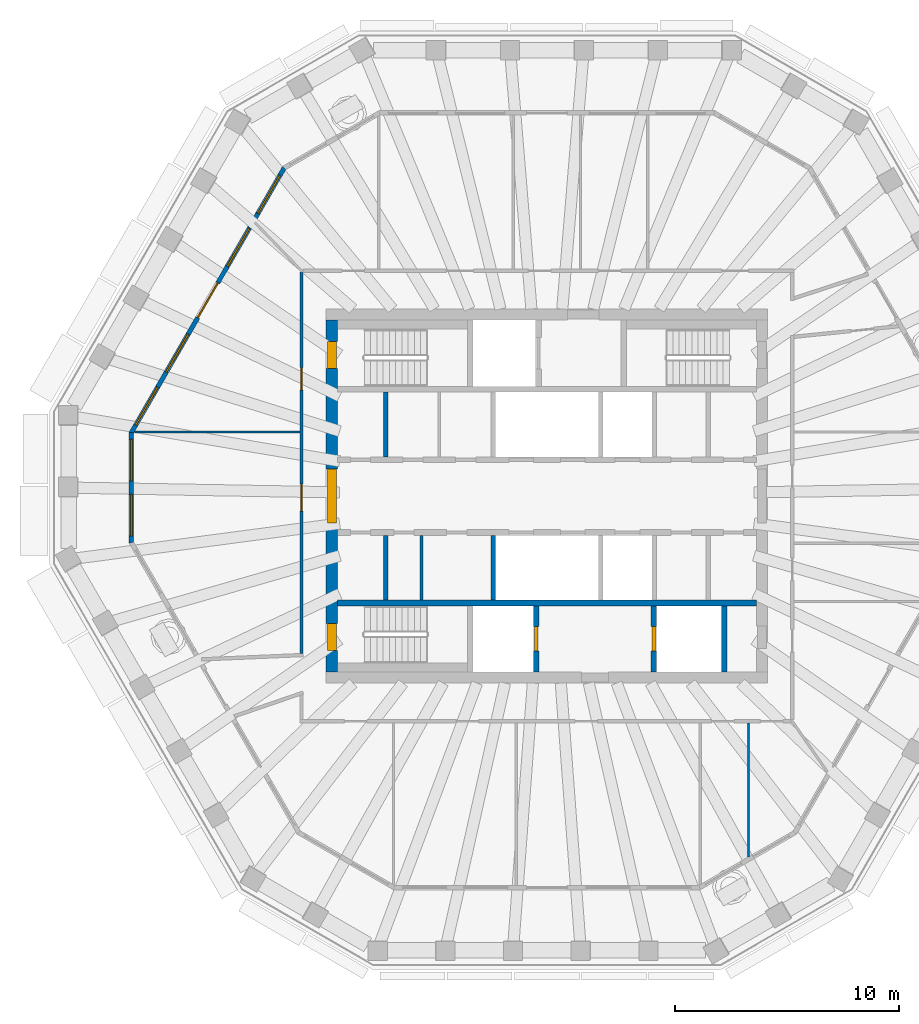
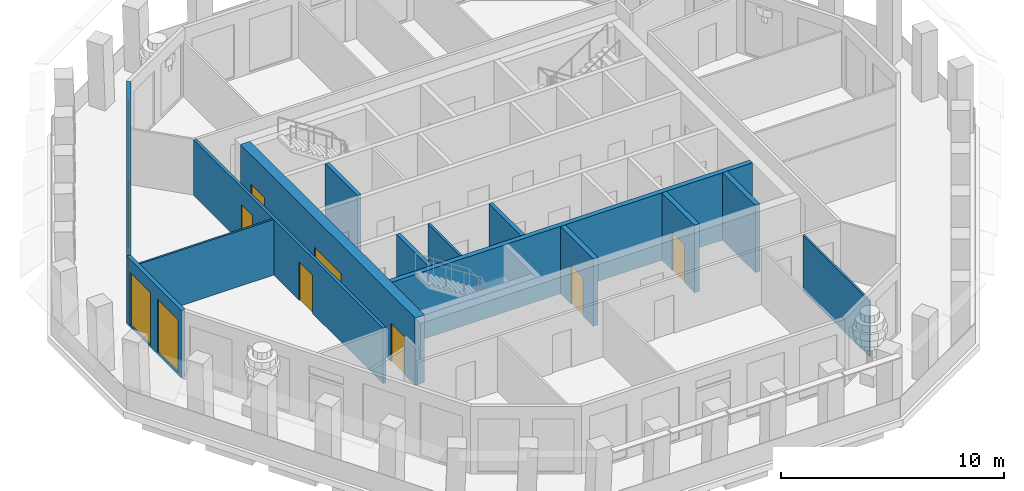
# One storey, part 4 of 11: 14 walls, 8 doors, 7 windows, 15 openings.
"""IFC4 building model written with IfcOpenShell, lengths in metres."""

import ifcopenshell
import ifcopenshell.guid

model = None  # the IFC model being written
_history = None  # IfcOwnerHistory: only IFC2X3 demands one
_inside = {}  # id of a spatial element -> (the spatial element, [elements in it])
_under = {}  # id of a project, library or spatial element -> (it, [spatial elements below it])
_declared = {}  # id of a project -> (the project, [libraries it declares])
_typed = {}  # id of a type object -> (the type object, [elements of that type])
_made_of = {}  # id of a material, layer set ... -> (it, [elements and type objects made of it])


def new_model(schema):
    """Start an empty IFC model of exactly this schema.

    Asked for "IFC4X3", IfcOpenShell would pick the latest addendum, in which some entities
    have other attributes; the version numbers below select the first issue.
    IFC2X3 requires an IfcOwnerHistory on every rooted entity: one is made here for all.
    """
    global model, _history
    if schema == "IFC4X3":
        model = ifcopenshell.file(schema_version=(4, 3, 0, 0))
    else:
        model = ifcopenshell.file(schema=schema)
    _inside.clear()
    _under.clear()
    _declared.clear()
    _typed.clear()
    _made_of.clear()
    _history = None
    if model.schema == "IFC2X3":
        org = make("IfcOrganization", Name="unknown")
        user = make(
            "IfcPersonAndOrganization",
            ThePerson=make("IfcPerson", FamilyName="unknown"),
            TheOrganization=org,
        )
        app = make(
            "IfcApplication",
            ApplicationDeveloper=org,
            Version="unknown",
            ApplicationFullName="unknown",
            ApplicationIdentifier="unknown",
        )
        _history = make(
            "IfcOwnerHistory",
            OwningUser=user,
            OwningApplication=app,
            ChangeAction="ADDED",
            CreationDate=0,
        )
    return model


def make(cls, **values):
    """One entity of the class cls with the attributes given. An attribute that is None is left unset."""
    return model.create_entity(
        cls, **{name: value for name, value in values.items() if value is not None}
    )


def rooted(cls, **values):
    """An entity with a GlobalId (a new one), such as an element, a storey or a relation."""
    return make(cls, GlobalId=ifcopenshell.guid.new(), OwnerHistory=_history, **values)


def si_unit(unit_type, name, prefix=None):
    """IfcSIUnit, for example si_unit("LENGTHUNIT", "METRE", prefix="MILLI")."""
    return make("IfcSIUnit", UnitType=unit_type, Prefix=prefix, Name=name)


def assignment(units):
    """IfcUnitAssignment: the units of a project."""
    return None if units is None else make("IfcUnitAssignment", Units=units)


def point(xyz):
    """IfcCartesianPoint."""
    return None if xyz is None else make("IfcCartesianPoint", Coordinates=xyz)


def direction(xyz):
    """IfcDirection."""
    return None if xyz is None else make("IfcDirection", DirectionRatios=xyz)


def frame(location, z_axis=None, x_axis=None):
    """IfcAxis2Placement3D, a coordinate frame: its origin and axes. An axis left out is left unset."""
    return make(
        "IfcAxis2Placement3D",
        Location=point(location),
        Axis=direction(z_axis),
        RefDirection=direction(x_axis),
    )


def frame_2d(location, x_axis=None):
    """IfcAxis2Placement2D, a coordinate frame in the plane: its origin and x axis."""
    return make(
        "IfcAxis2Placement2D", Location=point(location), RefDirection=direction(x_axis)
    )


def origin():
    """The frame at (0, 0, 0) with its axes left unset."""
    return frame((0.0, 0.0, 0.0))


def place(relative_to, where):
    """IfcLocalPlacement: puts the frame where relative to a parent placement (None: the world)."""
    return make(
        "IfcLocalPlacement", PlacementRelTo=relative_to, RelativePlacement=where
    )


def context(
    kind, dimensions, precision=None, world=None, true_north=None, identifier=None
):
    """IfcGeometricRepresentationContext, for example the 3D "Model" context."""
    return make(
        "IfcGeometricRepresentationContext",
        ContextIdentifier=identifier,
        ContextType=kind,
        CoordinateSpaceDimension=dimensions,
        Precision=precision,
        WorldCoordinateSystem=world,
        TrueNorth=true_north,
    )


def subcontext(parent, identifier, kind, view, scale=None):
    """IfcGeometricRepresentationSubContext, for example "Body" below "Model"."""
    return make(
        "IfcGeometricRepresentationSubContext",
        ContextIdentifier=identifier,
        ContextType=kind,
        ParentContext=parent,
        TargetScale=scale,
        TargetView=view,
    )


def project(units=None, contexts=None):
    """IfcProject with its units and contexts."""
    return rooted(
        "IfcProject",
        Name="project",
        RepresentationContexts=contexts,
        UnitsInContext=assignment(units),
    )


def spatial(cls, under=None, at=None, **own):
    """A site, building, storey or space (cls), placed at a placement, below another one or the project."""
    s = rooted(cls, ObjectPlacement=at, **own)
    if under is not None:
        _under.setdefault(under.id(), (under, []))[1].append(s)
    return s


def polyline(points):
    """IfcPolyline through the points."""
    return make("IfcPolyline", Points=[point(p) for p in points])


def profile(cls, at=None, kind="AREA", **sizes):
    """A parametric profile (cls). Its sizes go by their IFC names, for example OverallWidth=200.0."""
    return make(cls, ProfileType=kind, Position=at, **sizes)


def rectangle(**sizes):
    """IfcRectangleProfileDef."""
    return profile("IfcRectangleProfileDef", **sizes)


def outline(outer, holes=None, kind="AREA"):
    """IfcArbitraryClosedProfileDef: a profile drawn as a closed curve; with holes, ...WithVoids."""
    if holes is None:
        return make("IfcArbitraryClosedProfileDef", ProfileType=kind, OuterCurve=outer)
    return make(
        "IfcArbitraryProfileDefWithVoids",
        ProfileType=kind,
        OuterCurve=outer,
        InnerCurves=holes,
    )


def extrude(swept, where, along, depth):
    """IfcExtrudedAreaSolid: the profile swept, set in the frame where, extruded along a direction by depth."""
    return make(
        "IfcExtrudedAreaSolid",
        SweptArea=swept,
        Position=where,
        ExtrudedDirection=direction(along),
        Depth=depth,
    )


def shape(context_of_items, identifier, shape_type, items):
    """IfcShapeRepresentation: the items that make up one representation, for example the "Body"."""
    return make(
        "IfcShapeRepresentation",
        ContextOfItems=context_of_items,
        RepresentationIdentifier=identifier,
        RepresentationType=shape_type,
        Items=items,
    )


def material(Name=None, Category=None):
    """IfcMaterial."""
    return make("IfcMaterial", Name=Name, Category=Category)


def layer(
    of_material, thickness, ventilated=None, Name=None, Category=None, Priority=None
):
    """IfcMaterialLayer: one layer of a wall or slab, of a material (None: an air gap)."""
    return make(
        "IfcMaterialLayer",
        Material=of_material,
        LayerThickness=thickness,
        IsVentilated=ventilated,
        Name=Name,
        Category=Category,
        Priority=Priority,
    )


def layer_set(layers, Name=None):
    """IfcMaterialLayerSet."""
    return make("IfcMaterialLayerSet", MaterialLayers=layers, LayerSetName=Name)


def made_of(thing, what):
    """Note that an element or type object is made of a material, layer set ...; save() writes the relation."""
    if what is not None:
        _made_of.setdefault(what.id(), (what, []))[1].append(thing)
    return thing


def type_object(cls, material=None, **own):
    """A type object (cls), such as IfcWallType, which elements share."""
    return made_of(rooted(cls, **own), material)


def element(
    cls,
    number,
    at=None,
    inside=None,
    cuts=None,
    type_object=None,
    material=None,
    context=None,
    identifier="Body",
    shape_type=None,
    held_by="IfcProductDefinitionShape",
    body=None,
    shapes=None,
    **own,
):
    """One element of the class cls, such as IfcWall. Its Tag is "e" and its number.

    at: its placement. inside: the storey or other place that contains it. cuts: it is an
    opening in that element (IfcRelVoidsElement). A single representation is given by context,
    identifier, shape_type and body (its items); several are given by shapes. held_by: the class
    of the entity that holds the representations. save() writes the other relations.
    """
    e = rooted(cls, Tag="e%d" % number, ObjectPlacement=at, **own)
    if body is not None:
        shapes = [shape(context, identifier, shape_type, body)]
    if shapes is not None:
        e.Representation = make(held_by, Representations=shapes)
    if inside is not None:
        _inside.setdefault(inside.id(), (inside, []))[1].append(e)
    if cuts is not None:
        rooted(
            "IfcRelVoidsElement", RelatingBuildingElement=cuts, RelatedOpeningElement=e
        )
    if type_object is not None:
        _typed.setdefault(type_object.id(), (type_object, []))[1].append(e)
    return made_of(e, material)


def fill(opening, filler):
    """IfcRelFillsElement: the door or window that sits in an opening."""
    return rooted(
        "IfcRelFillsElement",
        RelatingOpeningElement=opening,
        RelatedBuildingElement=filler,
    )


def aggregate(whole, parts):
    """IfcRelAggregates: a whole, such as a stair, and the parts it consists of."""
    return rooted("IfcRelAggregates", RelatingObject=whole, RelatedObjects=parts)


def save(model, path):
    """Write the relations noted so far, then the file.

    IfcRelAggregates (storeys below a building ...), IfcRelContainedInSpatialStructure (elements
    in a storey), IfcRelDefinesByType, IfcRelAssociatesMaterial and IfcRelDeclares: one each for
    every whole, place, type object, material and project.
    """
    for whole, parts in _under.values():
        aggregate(whole, parts)
    for where, things in _inside.values():
        rooted(
            "IfcRelContainedInSpatialStructure",
            RelatedElements=things,
            RelatingStructure=where,
        )
    for kind, things in _typed.values():
        rooted("IfcRelDefinesByType", RelatedObjects=things, RelatingType=kind)
    for what, things in _made_of.values():
        rooted("IfcRelAssociatesMaterial", RelatedObjects=things, RelatingMaterial=what)
    for by, libraries in _declared.values():
        rooted("IfcRelDeclares", RelatingContext=by, RelatedDefinitions=libraries)
    model.write(path)


model = new_model("IFC4")

# Units and contexts
model_context = context("Model", 3, precision=1e-05, world=origin(), true_north=direction((0.0, 1.0)))
body_context = subcontext(model_context, "Body", "Model", "MODEL_VIEW")
ifc_project = project(units=[si_unit("LENGTHUNIT", "METRE"), si_unit("AREAUNIT", "SQUARE_METRE"), si_unit("VOLUMEUNIT", "CUBIC_METRE"), si_unit("PLANEANGLEUNIT", "RADIAN"), si_unit("MASSUNIT", "GRAM", prefix="KILO")], contexts=[model_context])

# Site, building, storey
site_placement = place(None, origin())
site = spatial("IfcSite", under=ifc_project, at=site_placement, CompositionType="ELEMENT")
building_placement = place(site_placement, origin())
building = spatial("IfcBuilding", under=site, at=building_placement, Name="Frailejon Research Tower", CompositionType="ELEMENT")
storey_placement = place(building_placement, frame((0.0, 0.0, 320.60009765625)))
storey = spatial("IfcBuildingStorey", under=building, at=storey_placement, Name="L71", CompositionType="ELEMENT", Elevation=320.60009765625)

# Wall
ifc_material_1 = material(Name="Plasterboard on steel studs", Category="steel")
ifc_layer_1 = layer(ifc_material_1, 0.125)
ifc_layer_set_1 = layer_set([ifc_layer_1], Name="Core partition 125")
wall_type_1 = type_object("IfcWallType", Name="Core partition 125", PredefinedType="PARTITIONING", material=ifc_layer_set_1)
wall_1_placement = place(storey_placement, frame((-5.60009765625, -4.64990234375, 0.0), z_axis=(0.0, 0.0, 1.0), x_axis=(0.0, 1.0, 0.0)))
element("IfcWall", 1, at=wall_1_placement, inside=storey, type_object=wall_type_1, Name="Core partition", PredefinedType="PARTITIONING", context=body_context, shape_type="SweptSolid", body=[
    extrude(rectangle(XDim=2.89990234375, YDim=0.125, at=frame_2d((1.449951171875, 0.0))), origin(), (0.0, 0.0, 1.0), 3.699951171875),
])

# Wall, openings, doors
ifc_material_2 = material(Name="Concrete C50/60", Category="concrete")
ifc_layer_2 = layer(ifc_material_2, 0.5)
ifc_layer_set_2 = layer_set([ifc_layer_2], Name="Core shear wall 500 C50/60")
wall_type_2 = type_object("IfcWallType", Name="Core shear wall 500 C50/60", PredefinedType="SHEAR", material=ifc_layer_set_2)
wall_2_placement = place(storey_placement, frame((-9.60009765625, -7.85009765625, 0.0), z_axis=(0.0, 0.0, 1.0), x_axis=(0.0, 1.0, 0.0)))
wall_2 = element("IfcWall", 2, at=wall_2_placement, inside=storey, type_object=wall_type_2, Name="Core shear wall", PredefinedType="SHEAR", context=body_context, shape_type="SweptSolid", body=[
    extrude(rectangle(XDim=15.7001953125, YDim=0.5, at=frame_2d((7.85009765625, 0.0))), origin(), (0.0, 0.0, 1.0), 3.699951171875),
])
opening_1_placement = place(wall_2_placement, frame((6.64990234375, 0.0, 0.0)))
opening_1 = element("IfcOpeningElement", 3, at=opening_1_placement, cuts=wall_2, Name="Opening D2", PredefinedType="OPENING", context=body_context, shape_type="SweptSolid", body=[
    extrude(rectangle(XDim=2.39990234375, YDim=2.10009765625, at=frame_2d((1.199951171875, 1.050048828125))), frame((0.0, 0.260009765625, 0.0), z_axis=(0.0, -1.0, 0.0), x_axis=(1.0, 0.0, 0.0)), (0.0, 0.0, 1.0), 0.52001953125),
])
opening_2_placement = place(wall_2_placement, frame((13.550048828125, 0.0, 0.0)))
opening_2 = element("IfcOpeningElement", 4, at=opening_2_placement, cuts=wall_2, Name="Opening D1", PredefinedType="OPENING", context=body_context, shape_type="SweptSolid", body=[
    extrude(rectangle(XDim=1.199951171875, YDim=2.10009765625, at=frame_2d((0.60009765625, 1.050048828125))), frame((0.0, 0.260009765625, 0.0), z_axis=(0.0, -1.0, 0.0), x_axis=(1.0, 0.0, 0.0)), (0.0, 0.0, 1.0), 0.52001953125),
])
opening_3_placement = place(wall_2_placement, frame((0.949951171875, 0.0, 0.0)))
opening_3 = element("IfcOpeningElement", 5, at=opening_3_placement, cuts=wall_2, Name="Opening D1", PredefinedType="OPENING", context=body_context, shape_type="SweptSolid", body=[
    extrude(rectangle(XDim=1.199951171875, YDim=2.10009765625, at=frame_2d((0.60009765625, 1.050048828125))), frame((0.0, 0.260009765625, 0.0), z_axis=(0.0, -1.0, 0.0), x_axis=(1.0, 0.0, 0.0)), (0.0, 0.0, 1.0), 0.52001953125),
])
ifc_material_3 = material(Name="Steel", Category="steel")
door_type_1 = type_object("IfcDoorType", Name="Lobby double door", OperationType="DOUBLE_DOOR_SINGLE_SWING", PredefinedType="DOOR", material=ifc_material_3)
door_1_placement = place(opening_1_placement, origin())
door_1 = element("IfcDoor", 6, at=door_1_placement, inside=storey, type_object=door_type_1, Name="Lobby door", OperationType="DOUBLE_DOOR_SINGLE_SWING", OverallHeight=2.10009765625, OverallWidth=2.39990234375, PredefinedType="DOOR", context=body_context, shape_type="SweptSolid", body=[
    extrude(rectangle(XDim=2.39990234375, YDim=2.10009765625, at=frame_2d((1.199951171875, 1.050048828125))), frame((0.0, 0.199951171875, 0.0), z_axis=(0.0, -1.0, 0.0), x_axis=(1.0, 0.0, 0.0)), (0.0, 0.0, 1.0), 0.39990234375),
])
fill(opening_1, door_1)
ifc_material_4 = material(Name="Steel", Category="steel")
door_type_2 = type_object("IfcDoorType", Name="Stair door", OperationType="SINGLE_SWING_LEFT", PredefinedType="DOOR", material=ifc_material_4)
door_2_placement = place(opening_2_placement, origin())
door_2 = element("IfcDoor", 7, at=door_2_placement, inside=storey, type_object=door_type_2, Name="Stair door ST1", OperationType="SINGLE_SWING_RIGHT", OverallHeight=2.10009765625, OverallWidth=1.199951171875, PredefinedType="DOOR", context=body_context, shape_type="SweptSolid", body=[
    extrude(rectangle(XDim=1.199951171875, YDim=2.10009765625, at=frame_2d((0.60009765625, 1.050048828125))), frame((0.0, 0.199951171875, 0.0), z_axis=(0.0, -1.0, 0.0), x_axis=(1.0, 0.0, 0.0)), (0.0, 0.0, 1.0), 0.39990234375),
])
fill(opening_2, door_2)
door_3_placement = place(opening_3_placement, origin())
door_3 = element("IfcDoor", 8, at=door_3_placement, inside=storey, type_object=door_type_2, Name="Stair door ST2", OperationType="SINGLE_SWING_LEFT", OverallHeight=2.10009765625, OverallWidth=1.199951171875, PredefinedType="DOOR", context=body_context, shape_type="SweptSolid", body=[
    extrude(rectangle(XDim=1.199951171875, YDim=2.10009765625, at=frame_2d((0.60009765625, 1.050048828125))), frame((0.0, 0.199951171875, 0.0), z_axis=(0.0, -1.0, 0.0), x_axis=(1.0, 0.0, 0.0)), (0.0, 0.0, 1.0), 0.39990234375),
])
fill(opening_3, door_3)

ifc_material_5 = material(Name="Gypsum board and masonry partition", Category="masonry")
ifc_layer_3 = layer(ifc_material_5, 0.14990234375)
ifc_layer_set_3 = layer_set([ifc_layer_3], Name="Corridor wall EI 60, gypsum on steel studs 150")
wall_type_3 = type_object("IfcWallType", Name="Corridor wall EI 60, gypsum on steel studs 150", PredefinedType="PARTITIONING", material=ifc_layer_set_3)
wall_3_placement = place(storey_placement, frame((-10.949951171875, -7.02490234375, 0.0), z_axis=(0.0, 0.0, 1.0), x_axis=(0.0, 1.0, 0.0)))
wall_3 = element("IfcWall", 9, at=wall_3_placement, inside=storey, type_object=wall_type_3, Name="T:IW:L71:007", PredefinedType="PARTITIONING", context=body_context, shape_type="SweptSolid", body=[
    extrude(rectangle(XDim=17.02490234375, YDim=0.14990234375, at=frame_2d((8.512451171875, 0.0))), origin(), (0.0, 0.0, 1.0), 3.0498046875),
])
opening_4_placement = place(wall_3_placement, frame((11.75634765625, 0.0, 0.0)))
opening_4 = element("IfcOpeningElement", 10, at=opening_4_placement, cuts=wall_3, Name="Opening D2339", PredefinedType="OPENING", context=body_context, shape_type="SweptSolid", body=[
    extrude(rectangle(XDim=1.0, YDim=2.10009765625, at=frame_2d((0.5, 1.050048828125))), frame((0.0, 0.0849609375, 0.0), z_axis=(0.0, -1.0, 0.0), x_axis=(1.0, 0.0, 0.0)), (0.0, 0.0, 1.0), 0.169921875),
])
opening_5_placement = place(wall_3_placement, frame((6.352783203125, 0.0, 0.0)))
opening_5 = element("IfcOpeningElement", 11, at=opening_5_placement, cuts=wall_3, Name="Opening D2340", PredefinedType="OPENING", context=body_context, shape_type="SweptSolid", body=[
    extrude(rectangle(XDim=1.199951171875, YDim=2.10009765625, at=frame_2d((0.60009765625, 1.050048828125))), frame((0.0, 0.0849609375, 0.0), z_axis=(0.0, -1.0, 0.0), x_axis=(1.0, 0.0, 0.0)), (0.0, 0.0, 1.0), 0.169921875),
])
ifc_material_6 = material(Name="Timber door leaf", Category="wood")
door_type_3 = type_object("IfcDoorType", Name="Door single leaf, timber, steel frame 1000", OperationType="NOTDEFINED", PredefinedType="DOOR", material=ifc_material_6)
door_4_placement = place(opening_4_placement, origin())
door_4 = element("IfcDoor", 12, at=door_4_placement, inside=storey, type_object=door_type_3, Name="D2339", OperationType="SINGLE_SWING_LEFT", OverallHeight=2.10009765625, OverallWidth=1.0, PredefinedType="DOOR", context=body_context, shape_type="SweptSolid", body=[
    extrude(rectangle(XDim=1.0, YDim=2.10009765625, at=frame_2d((0.5, 1.050048828125))), frame((0.0, 0.02490234375, 0.0), z_axis=(0.0, -1.0, 0.0), x_axis=(1.0, 0.0, 0.0)), (0.0, 0.0, 1.0), 0.050048828125),
])
fill(opening_4, door_4)
ifc_material_7 = material(Name="Timber door leaf", Category="wood")
door_type_4 = type_object("IfcDoorType", Name="Door single leaf, timber, steel frame 1200", OperationType="NOTDEFINED", PredefinedType="DOOR", material=ifc_material_7)
door_5_placement = place(opening_5_placement, origin())
door_5 = element("IfcDoor", 13, at=door_5_placement, inside=storey, type_object=door_type_4, Name="D2340", OperationType="DOUBLE_DOOR_SINGLE_SWING", OverallHeight=2.10009765625, OverallWidth=1.199951171875, PredefinedType="DOOR", context=body_context, shape_type="SweptSolid", body=[
    extrude(rectangle(XDim=1.199951171875, YDim=2.10009765625, at=frame_2d((0.60009765625, 1.050048828125))), frame((0.0, 0.02490234375, 0.0), z_axis=(0.0, -1.0, 0.0), x_axis=(1.0, 0.0, 0.0)), (0.0, 0.0, 1.0), 0.050048828125),
])
fill(opening_5, door_5)

# Walls
ifc_material_8 = material(Name="Gypsum board and masonry partition", Category="masonry")
ifc_layer_4 = layer(ifc_material_8, 0.10009765625)
ifc_layer_set_4 = layer_set([ifc_layer_4], Name="Partition, gypsum on steel studs 100")
wall_type_4 = type_object("IfcWallType", Name="Partition, gypsum on steel studs 100", PredefinedType="PARTITIONING", material=ifc_layer_set_4)
wall_4_placement = place(storey_placement, frame((-18.414306640625, 2.859619140625, 0.0), z_axis=(0.0, 0.0, 1.0), x_axis=(1.0, 0.0, 0.0)))
element("IfcWall", 14, at=wall_4_placement, inside=storey, type_object=wall_type_4, Name="T:IW:L71:011", PredefinedType="PARTITIONING", context=body_context, shape_type="SweptSolid", body=[
    extrude(rectangle(XDim=7.389404296875, YDim=0.10009765625, at=frame_2d((3.69482421875, 0.0))), origin(), (0.0, 0.0, 1.0), 3.0498046875),
])
wall_5_placement = place(storey_placement, frame((8.99609375, -16.10498046875, 0.0), z_axis=(0.0, 0.0, 1.0), x_axis=(0.0, 1.0, 0.0)))
element("IfcWall", 15, at=wall_5_placement, inside=storey, type_object=wall_type_4, Name="T:IW:L71:022", PredefinedType="PARTITIONING", context=body_context, shape_type="SweptSolid", body=[
    extrude(rectangle(XDim=5.97998046875, YDim=0.10009765625, at=frame_2d((2.989990234375, 0.0))), origin(), (0.0, 0.0, 1.0), 3.0498046875),
])
ifc_material_9 = material(Name="Concrete C50/60", Category="concrete")
ifc_layer_5 = layer(ifc_material_9, 0.199951171875)
ifc_layer_set_5 = layer_set([ifc_layer_5], Name="Shaft wall 200 C50/60")
wall_type_5 = type_object("IfcWallType", Name="Shaft wall 200 C50/60", PredefinedType="SOLIDWALL", material=ifc_layer_set_5)
for number, where, z_axis, x_axis, name in (
    (16, (-7.199951171875, 1.75, 0.0), (0.0, 0.0, 1.0), (0.0, 1.0, 0.0), "Shaft wall"),
    (17, (-7.199951171875, -4.64990234375, 0.0), (0.0, 0.0, 1.0), (0.0, 1.0, 0.0), "Shaft wall"),
    (18, (-2.39990234375, -4.64990234375, 0.0), (0.0, 0.0, 1.0), (0.0, 1.0, 0.0), "Shaft wall"),
):
    element("IfcWall", number, at=place(storey_placement, frame(where, z_axis=z_axis, x_axis=x_axis)), inside=storey, type_object=wall_type_5, Name=name, PredefinedType="SOLIDWALL", context=body_context, shape_type="SweptSolid", body=[
        extrude(rectangle(XDim=2.89990234375, YDim=0.199951171875, at=frame_2d((1.449951171875, 0.0))), origin(), (0.0, 0.0, 1.0), 3.699951171875),
    ])
ifc_material_10 = material(Name="Concrete C50/60", Category="concrete")
ifc_layer_6 = layer(ifc_material_10, 0.25)
ifc_layer_set_6 = layer_set([ifc_layer_6], Name="Shaft wall 250 C50/60")
wall_type_6 = type_object("IfcWallType", Name="Shaft wall 250 C50/60", PredefinedType="SOLIDWALL", material=ifc_layer_set_6)
wall_6_placement = place(storey_placement, frame((-9.35009765625, -4.77490234375, 0.0), z_axis=(0.0, 0.0, 1.0), x_axis=(1.0, 0.0, 0.0)))
element("IfcWall", 19, at=wall_6_placement, inside=storey, type_object=wall_type_6, Name="Shaft wall", PredefinedType="SOLIDWALL", context=body_context, shape_type="SweptSolid", body=[
    extrude(rectangle(XDim=18.7001953125, YDim=0.25, at=frame_2d((9.35009765625, 0.0))), origin(), (0.0, 0.0, 1.0), 3.699951171875),
])

# Wall, opening, door
wall_7_placement = place(storey_placement, frame((-0.47509765625, -7.85009765625, 0.0), z_axis=(0.0, 0.0, 1.0), x_axis=(0.0, 1.0, 0.0)))
wall_7 = element("IfcWall", 20, at=wall_7_placement, inside=storey, type_object=wall_type_6, Name="Shaft wall", PredefinedType="SOLIDWALL", context=body_context, shape_type="SweptSolid", body=[
    extrude(rectangle(XDim=2.9501953125, YDim=0.25, at=frame_2d((1.47509765625, 0.0))), origin(), (0.0, 0.0, 1.0), 3.699951171875),
])
opening_6_placement = place(wall_7_placement, frame((0.925048828125, 0.0, 0.0)))
opening_6 = element("IfcOpeningElement", 21, at=opening_6_placement, cuts=wall_7, Name="Opening LD", PredefinedType="OPENING", context=body_context, shape_type="SweptSolid", body=[
    extrude(rectangle(XDim=1.10009765625, YDim=2.10009765625, at=frame_2d((0.550048828125, 1.050048828125))), frame((0.0, 0.135009765625, 0.0), z_axis=(0.0, -1.0, 0.0), x_axis=(1.0, 0.0, 0.0)), (0.0, 0.0, 1.0), 0.27001953125),
])
ifc_material_11 = material(Name="Steel", Category="steel")
door_type_5 = type_object("IfcDoorType", Name="Lift landing door", OperationType="DOUBLE_DOOR_SLIDING", PredefinedType="DOOR", material=ifc_material_11)
door_6_placement = place(opening_6_placement, origin())
door_6 = element("IfcDoor", 22, at=door_6_placement, inside=storey, type_object=door_type_5, Name="Lift landing door", OperationType="DOUBLE_DOOR_SLIDING", OverallHeight=2.10009765625, OverallWidth=1.10009765625, PredefinedType="DOOR", context=body_context, shape_type="SweptSolid", body=[
    extrude(rectangle(XDim=1.10009765625, YDim=2.10009765625, at=frame_2d((0.550048828125, 1.050048828125))), frame((0.0, 0.074951171875, 0.0), z_axis=(0.0, -1.0, 0.0), x_axis=(1.0, 0.0, 0.0)), (0.0, 0.0, 1.0), 0.14990234375),
])
fill(opening_6, door_6)

wall_8_placement = place(storey_placement, frame((4.77490234375, -7.85009765625, 0.0), z_axis=(0.0, 0.0, 1.0), x_axis=(0.0, 1.0, 0.0)))
wall_8 = element("IfcWall", 23, at=wall_8_placement, inside=storey, type_object=wall_type_6, Name="Shaft wall", PredefinedType="SOLIDWALL", context=body_context, shape_type="SweptSolid", body=[
    extrude(rectangle(XDim=2.9501953125, YDim=0.25, at=frame_2d((1.47509765625, 0.0))), origin(), (0.0, 0.0, 1.0), 3.699951171875),
])
opening_7_placement = place(wall_8_placement, frame((0.925048828125, 0.0, 0.0)))
opening_7 = element("IfcOpeningElement", 24, at=opening_7_placement, cuts=wall_8, Name="Opening LD", PredefinedType="OPENING", context=body_context, shape_type="SweptSolid", body=[
    extrude(rectangle(XDim=1.10009765625, YDim=2.10009765625, at=frame_2d((0.550048828125, 1.050048828125))), frame((0.0, 0.135009765625, 0.0), z_axis=(0.0, -1.0, 0.0), x_axis=(1.0, 0.0, 0.0)), (0.0, 0.0, 1.0), 0.27001953125),
])
door_7_placement = place(opening_7_placement, origin())
door_7 = element("IfcDoor", 25, at=door_7_placement, inside=storey, type_object=door_type_5, Name="Lift landing door", OperationType="DOUBLE_DOOR_SLIDING", OverallHeight=2.10009765625, OverallWidth=1.10009765625, PredefinedType="DOOR", context=body_context, shape_type="SweptSolid", body=[
    extrude(rectangle(XDim=1.10009765625, YDim=2.10009765625, at=frame_2d((0.550048828125, 1.050048828125))), frame((0.0, 0.074951171875, 0.0), z_axis=(0.0, -1.0, 0.0), x_axis=(1.0, 0.0, 0.0)), (0.0, 0.0, 1.0), 0.14990234375),
])
fill(opening_7, door_7)

# Wall
wall_9_placement = place(storey_placement, frame((7.925048828125, -7.85009765625, 0.0), z_axis=(0.0, 0.0, 1.0), x_axis=(0.0, 1.0, 0.0)))
element("IfcWall", 26, at=wall_9_placement, inside=storey, type_object=wall_type_6, Name="Shaft wall", PredefinedType="SOLIDWALL", context=body_context, shape_type="SweptSolid", body=[
    extrude(rectangle(XDim=2.9501953125, YDim=0.25, at=frame_2d((1.47509765625, 0.0))), origin(), (0.0, 0.0, 1.0), 3.699951171875),
])

# Wall, openings, door, windows
ifc_material_12 = material(Name="Concrete C40/50 precast window wall panel", Category="concrete")
ifc_layer_7 = layer(ifc_material_12, 0.199951171875)
ifc_layer_set_7 = layer_set([ifc_layer_7], Name="Window wall 200")
wall_type_7 = type_object("IfcWallType", Name="Window wall 200", PredefinedType="SOLIDWALL", material=ifc_layer_set_7)
wall_10_placement = place(storey_placement, frame((-11.72607421875, 14.644287109375, 0.0), z_axis=(0.0, 0.0, 1.0), x_axis=(-0.49999155959, -0.866030276803, 0.0)))
wall_10 = element("IfcWall", 27, at=wall_10_placement, inside=storey, type_object=wall_type_7, Name="Exterior wall L71", PredefinedType="SOLIDWALL", context=body_context, shape_type="SweptSolid", body=[
    extrude(outline(polyline([(-0.02685546875, -0.10009765625), (1.0263671875, -0.10009765625), (2.07958984375, -0.10009765625), (3.1328125, -0.10009765625), (4.18603515625, -0.10009765625), (5.2392578125, -0.10009765625), (6.29248046875, -0.10009765625), (7.345947265625, -0.10009765625), (8.399169921875, -0.10009765625), (9.452392578125, -0.10009765625), (10.505615234375, -0.10009765625), (11.558837890625, -0.10009765625), (12.612060546875, -0.10009765625), (13.665283203125, -0.10009765625), (13.611572265625, 0.10009765625), (12.566650390625, 0.10009765625), (11.521728515625, 0.10009765625), (10.4765625, 0.10009765625), (9.431640625, 0.10009765625), (8.38671875, 0.10009765625), (7.341796875, 0.10009765625), (6.296630859375, 0.10009765625), (5.251708984375, 0.10009765625), (4.206787109375, 0.10009765625), (3.161865234375, 0.10009765625), (2.11669921875, 0.10009765625), (1.07177734375, 0.10009765625), (0.02685546875, 0.10009765625), (-0.02685546875, -0.10009765625)])), origin(), (0.0, 0.0, 1.0), 3.699951171875),
])
opening_8_placement = place(wall_10_placement, frame((0.388916015625, 0.0, 0.10009765625)))
opening_8 = element("IfcOpeningElement", 28, at=opening_8_placement, cuts=wall_10, Name="Opening W27", PredefinedType="OPENING", context=body_context, shape_type="SweptSolid", body=[
    extrude(rectangle(XDim=1.949951171875, YDim=2.89990234375, at=frame_2d((0.97509765625, 1.449951171875))), frame((0.0, 0.10986328125, 0.0), z_axis=(0.0, -1.0, 0.0), x_axis=(1.0, 0.0, 0.0)), (0.0, 0.0, 1.0), 0.219970703125),
])
opening_9_placement = place(wall_10_placement, frame((3.116455078125, 0.0, 0.10009765625)))
opening_9 = element("IfcOpeningElement", 29, at=opening_9_placement, cuts=wall_10, Name="Opening W27", PredefinedType="OPENING", context=body_context, shape_type="SweptSolid", body=[
    extrude(rectangle(XDim=1.949951171875, YDim=2.89990234375, at=frame_2d((0.97509765625, 1.449951171875))), frame((0.0, 0.10986328125, 0.0), z_axis=(0.0, -1.0, 0.0), x_axis=(1.0, 0.0, 0.0)), (0.0, 0.0, 1.0), 0.219970703125),
])
opening_10_placement = place(wall_10_placement, frame((5.919189453125, 0.0, 0.0)))
opening_10 = element("IfcOpeningElement", 30, at=opening_10_placement, cuts=wall_10, Name="Opening LG71-3", PredefinedType="OPENING", context=body_context, shape_type="SweptSolid", body=[
    extrude(rectangle(XDim=1.800048828125, YDim=2.39990234375, at=frame_2d((0.89990234375, 1.199951171875))), frame((0.0, 0.10986328125, 0.0), z_axis=(0.0, -1.0, 0.0), x_axis=(1.0, 0.0, 0.0)), (0.0, 0.0, 1.0), 0.219970703125),
])
opening_11_placement = place(wall_10_placement, frame((5.919189453125, 0.0, 2.550048828125)))
opening_11 = element("IfcOpeningElement", 31, at=opening_11_placement, cuts=wall_10, Name="Opening W1", PredefinedType="OPENING", context=body_context, shape_type="SweptSolid", body=[
    extrude(rectangle(XDim=1.800048828125, YDim=0.449951171875, at=frame_2d((0.89990234375, 0.22509765625))), frame((0.0, 0.10986328125, 0.0), z_axis=(0.0, -1.0, 0.0), x_axis=(1.0, 0.0, 0.0)), (0.0, 0.0, 1.0), 0.219970703125),
])
opening_12_placement = place(wall_10_placement, frame((8.572021484375, 0.0, 0.10009765625)))
opening_12 = element("IfcOpeningElement", 32, at=opening_12_placement, cuts=wall_10, Name="Opening W27", PredefinedType="OPENING", context=body_context, shape_type="SweptSolid", body=[
    extrude(rectangle(XDim=1.949951171875, YDim=2.89990234375, at=frame_2d((0.97509765625, 1.449951171875))), frame((0.0, 0.10986328125, 0.0), z_axis=(0.0, -1.0, 0.0), x_axis=(1.0, 0.0, 0.0)), (0.0, 0.0, 1.0), 0.219970703125),
])
opening_13_placement = place(wall_10_placement, frame((11.299560546875, 0.0, 0.10009765625)))
opening_13 = element("IfcOpeningElement", 33, at=opening_13_placement, cuts=wall_10, Name="Opening W27", PredefinedType="OPENING", context=body_context, shape_type="SweptSolid", body=[
    extrude(rectangle(XDim=1.949951171875, YDim=2.89990234375, at=frame_2d((0.97509765625, 1.449951171875))), frame((0.0, 0.10986328125, 0.0), z_axis=(0.0, -1.0, 0.0), x_axis=(1.0, 0.0, 0.0)), (0.0, 0.0, 1.0), 0.219970703125),
])
ifc_material_13 = material(Name="Aluminium framed glazed door leaf", Category="aluminium")
door_type_6 = type_object("IfcDoorType", Name="Loggia door 1800x2400", OperationType="DOUBLE_DOOR_SINGLE_SWING", PredefinedType="DOOR", material=ifc_material_13)
door_8_placement = place(opening_10_placement, origin())
door_8 = element("IfcDoor", 34, at=door_8_placement, inside=storey, type_object=door_type_6, Name="Door LG71-3", OperationType="DOUBLE_DOOR_SINGLE_SWING", OverallHeight=2.39990234375, OverallWidth=1.800048828125, PredefinedType="DOOR", context=body_context, shape_type="SweptSolid", body=[
    extrude(rectangle(XDim=1.800048828125, YDim=2.39990234375, at=frame_2d((0.89990234375, 1.199951171875))), frame((0.0, 0.02490234375, 0.0), z_axis=(0.0, -1.0, 0.0), x_axis=(1.0, 0.0, 0.0)), (0.0, 0.0, 1.0), 0.050048828125),
])
fill(opening_10, door_8)
ifc_material_14 = material(Name="Aluminium framed double glazing", Category="aluminium")
window_type_1 = type_object("IfcWindowType", Name="Window 1800x450", PartitioningType="SINGLE_PANEL", PredefinedType="WINDOW", material=ifc_material_14)
window_1_placement = place(opening_11_placement, origin())
window_1 = element("IfcWindow", 35, at=window_1_placement, inside=storey, type_object=window_type_1, Name="Window L71", OverallHeight=0.449951171875, OverallWidth=1.800048828125, PartitioningType="SINGLE_PANEL", PredefinedType="WINDOW", context=body_context, shape_type="SweptSolid", body=[
    extrude(rectangle(XDim=1.800048828125, YDim=0.449951171875, at=frame_2d((0.89990234375, 0.22509765625))), frame((0.0, 0.030029296875, 0.0), z_axis=(0.0, -1.0, 0.0), x_axis=(1.0, 0.0, 0.0)), (0.0, 0.0, 1.0), 0.06005859375),
])
fill(opening_11, window_1)
ifc_material_15 = material(Name="Aluminium framed double glazing", Category="aluminium")
window_type_2 = type_object("IfcWindowType", Name="Window 1950x2900", PartitioningType="SINGLE_PANEL", PredefinedType="WINDOW", material=ifc_material_15)
window_2_placement = place(opening_8_placement, origin())
window_2 = element("IfcWindow", 36, at=window_2_placement, inside=storey, type_object=window_type_2, Name="Window L71", OverallHeight=2.89990234375, OverallWidth=1.949951171875, PartitioningType="SINGLE_PANEL", PredefinedType="WINDOW", context=body_context, shape_type="SweptSolid", body=[
    extrude(rectangle(XDim=1.949951171875, YDim=2.89990234375, at=frame_2d((0.97509765625, 1.449951171875))), frame((0.0, 0.030029296875, 0.0), z_axis=(0.0, -1.0, 0.0), x_axis=(1.0, 0.0, 0.0)), (0.0, 0.0, 1.0), 0.06005859375),
])
fill(opening_8, window_2)
window_3_placement = place(opening_9_placement, origin())
window_3 = element("IfcWindow", 37, at=window_3_placement, inside=storey, type_object=window_type_2, Name="Window L71", OverallHeight=2.89990234375, OverallWidth=1.949951171875, PartitioningType="SINGLE_PANEL", PredefinedType="WINDOW", context=body_context, shape_type="SweptSolid", body=[
    extrude(rectangle(XDim=1.949951171875, YDim=2.89990234375, at=frame_2d((0.97509765625, 1.449951171875))), frame((0.0, 0.030029296875, 0.0), z_axis=(0.0, -1.0, 0.0), x_axis=(1.0, 0.0, 0.0)), (0.0, 0.0, 1.0), 0.06005859375),
])
fill(opening_9, window_3)
window_4_placement = place(opening_12_placement, origin())
window_4 = element("IfcWindow", 38, at=window_4_placement, inside=storey, type_object=window_type_2, Name="Window L71", OverallHeight=2.89990234375, OverallWidth=1.949951171875, PartitioningType="SINGLE_PANEL", PredefinedType="WINDOW", context=body_context, shape_type="SweptSolid", body=[
    extrude(rectangle(XDim=1.949951171875, YDim=2.89990234375, at=frame_2d((0.97509765625, 1.449951171875))), frame((0.0, 0.030029296875, 0.0), z_axis=(0.0, -1.0, 0.0), x_axis=(1.0, 0.0, 0.0)), (0.0, 0.0, 1.0), 0.06005859375),
])
fill(opening_12, window_4)
window_5_placement = place(opening_13_placement, origin())
window_5 = element("IfcWindow", 39, at=window_5_placement, inside=storey, type_object=window_type_2, Name="Window L71", OverallHeight=2.89990234375, OverallWidth=1.949951171875, PartitioningType="SINGLE_PANEL", PredefinedType="WINDOW", context=body_context, shape_type="SweptSolid", body=[
    extrude(rectangle(XDim=1.949951171875, YDim=2.89990234375, at=frame_2d((0.97509765625, 1.449951171875))), frame((0.0, 0.030029296875, 0.0), z_axis=(0.0, -1.0, 0.0), x_axis=(1.0, 0.0, 0.0)), (0.0, 0.0, 1.0), 0.06005859375),
])
fill(opening_13, window_5)

# Wall, openings, windows
wall_11_placement = place(storey_placement, frame((-18.545166015625, 2.8330078125, 0.0), z_axis=(0.0, 0.0, 1.0), x_axis=(0.0, -1.0, 0.0)))
wall_11 = element("IfcWall", 40, at=wall_11_placement, inside=storey, type_object=wall_type_7, Name="Exterior wall L71", PredefinedType="SOLIDWALL", context=body_context, shape_type="SweptSolid", body=[
    extrude(outline(polyline([(-0.02685546875, -0.10009765625), (1.21435546875, -0.10009765625), (2.455810546875, -0.10009765625), (3.697265625, -0.10009765625), (4.9384765625, -0.10009765625), (4.884765625, 0.10009765625), (3.67041015625, 0.10009765625), (2.455810546875, 0.10009765625), (1.2412109375, 0.10009765625), (0.02685546875, 0.10009765625), (-0.02685546875, -0.10009765625)])), origin(), (0.0, 0.0, 1.0), 3.699951171875),
])
opening_14_placement = place(wall_11_placement, frame((0.302978515625, 0.0, 0.10009765625)))
opening_14 = element("IfcOpeningElement", 41, at=opening_14_placement, cuts=wall_11, Name="Opening W26", PredefinedType="OPENING", context=body_context, shape_type="SweptSolid", body=[
    extrude(rectangle(XDim=1.85009765625, YDim=2.89990234375, at=frame_2d((0.925048828125, 1.449951171875))), frame((0.0, 0.10986328125, 0.0), z_axis=(0.0, -1.0, 0.0), x_axis=(1.0, 0.0, 0.0)), (0.0, 0.0, 1.0), 0.219970703125),
])
opening_15_placement = place(wall_11_placement, frame((2.7587890625, 0.0, 0.10009765625)))
opening_15 = element("IfcOpeningElement", 42, at=opening_15_placement, cuts=wall_11, Name="Opening W26", PredefinedType="OPENING", context=body_context, shape_type="SweptSolid", body=[
    extrude(rectangle(XDim=1.85009765625, YDim=2.89990234375, at=frame_2d((0.925048828125, 1.449951171875))), frame((0.0, 0.10986328125, 0.0), z_axis=(0.0, -1.0, 0.0), x_axis=(1.0, 0.0, 0.0)), (0.0, 0.0, 1.0), 0.219970703125),
])
ifc_material_16 = material(Name="Aluminium framed double glazing", Category="aluminium")
window_type_3 = type_object("IfcWindowType", Name="Window 1850x2900", PartitioningType="SINGLE_PANEL", PredefinedType="WINDOW", material=ifc_material_16)
window_6_placement = place(opening_14_placement, origin())
window_6 = element("IfcWindow", 43, at=window_6_placement, inside=storey, type_object=window_type_3, Name="Window L71", OverallHeight=2.89990234375, OverallWidth=1.85009765625, PartitioningType="SINGLE_PANEL", PredefinedType="WINDOW", context=body_context, shape_type="SweptSolid", body=[
    extrude(rectangle(XDim=1.85009765625, YDim=2.89990234375, at=frame_2d((0.925048828125, 1.449951171875))), frame((0.0, 0.030029296875, 0.0), z_axis=(0.0, -1.0, 0.0), x_axis=(1.0, 0.0, 0.0)), (0.0, 0.0, 1.0), 0.06005859375),
])
fill(opening_14, window_6)
window_7_placement = place(opening_15_placement, origin())
window_7 = element("IfcWindow", 44, at=window_7_placement, inside=storey, type_object=window_type_3, Name="Window L71", OverallHeight=2.89990234375, OverallWidth=1.85009765625, PartitioningType="SINGLE_PANEL", PredefinedType="WINDOW", context=body_context, shape_type="SweptSolid", body=[
    extrude(rectangle(XDim=1.85009765625, YDim=2.89990234375, at=frame_2d((0.925048828125, 1.449951171875))), frame((0.0, 0.030029296875, 0.0), z_axis=(0.0, -1.0, 0.0), x_axis=(1.0, 0.0, 0.0)), (0.0, 0.0, 1.0), 0.06005859375),
])
fill(opening_15, window_7)

save(model, "model.ifc")
